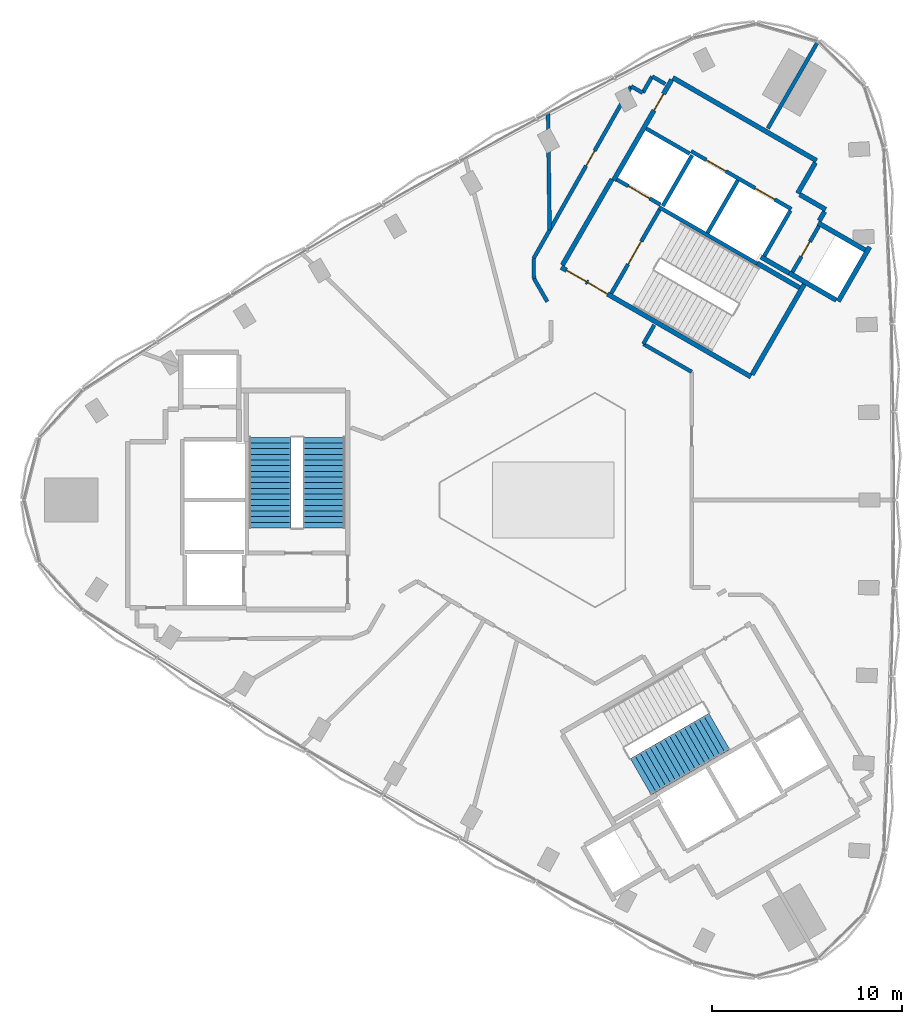
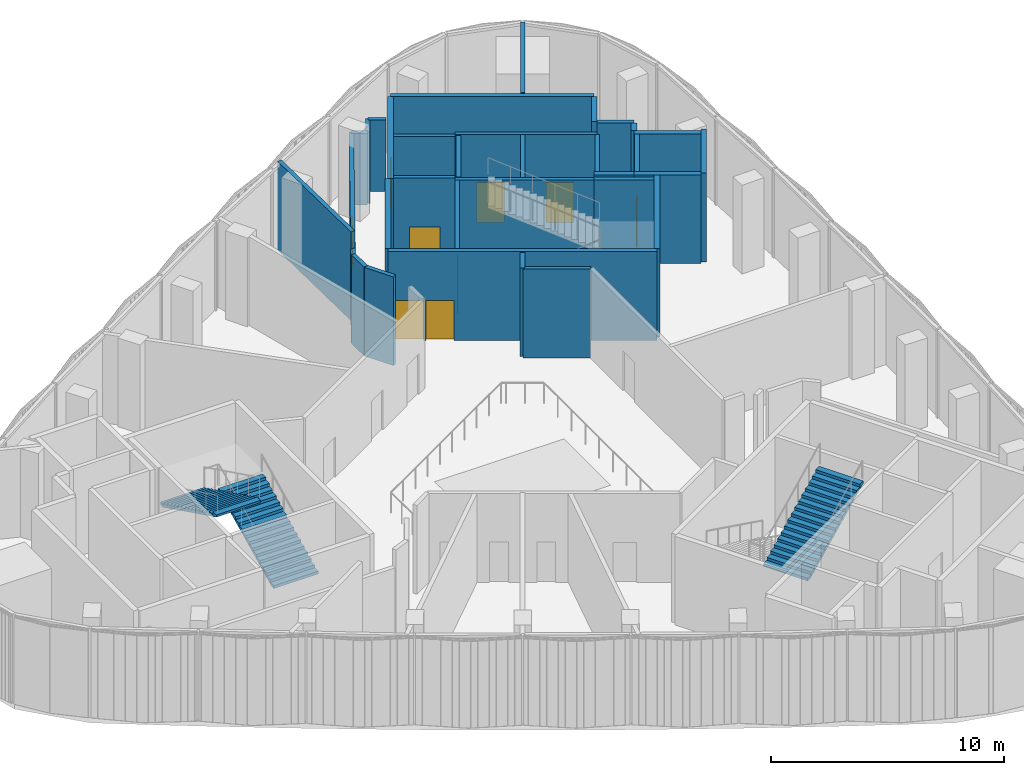
# One storey, part 9 of 15: 32 walls, 9 doors, 3 stair flights, 9 openings, 2 elements without a shape of their own.
"""IFC4 building model written with IfcOpenShell, lengths in metres."""

from ifc_helpers import new_model, si_unit, direction, frame, frame_2d, origin, place, context, subcontext, project, spatial, polyline, rectangle, outline, extrude, material, layer, layer_set, type_object, element, fill, aggregate, save


model = new_model("IFC4")

# Units and contexts
model_context = context("Model", 3, precision=1e-05, world=origin(), true_north=direction((0.0, 1.0)))
body_context = subcontext(model_context, "Body", "Model", "MODEL_VIEW")
ifc_project = project(units=[si_unit("LENGTHUNIT", "METRE"), si_unit("AREAUNIT", "SQUARE_METRE"), si_unit("VOLUMEUNIT", "CUBIC_METRE"), si_unit("PLANEANGLEUNIT", "RADIAN"), si_unit("MASSUNIT", "GRAM", prefix="KILO")], contexts=[model_context])

# Site, building, storey
site_placement = place(None, origin())
site = spatial("IfcSite", under=ifc_project, at=site_placement, CompositionType="ELEMENT")
building_placement = place(site_placement, origin())
building = spatial("IfcBuilding", under=site, at=building_placement, Name="Tamra Quay Hotel Tower", CompositionType="ELEMENT")
storey_placement = place(building_placement, frame((0.0, 0.0, 216.39990234375)))
storey = spatial("IfcBuildingStorey", under=building, at=storey_placement, Name="L54", CompositionType="ELEMENT", Elevation=216.39990234375)

# Wall, openings, doors
ifc_material_1 = material(Name="Concrete M70", Category="concrete")
ifc_layer_1 = layer(ifc_material_1, 0.199951171875)
ifc_layer_set_1 = layer_set([ifc_layer_1], Name="Concrete M70 core wall 200")
wall_type_1 = type_object("IfcWallType", Name="Concrete M70 core wall 200", PredefinedType="SHEAR", material=ifc_layer_set_1)
wall_1_placement = place(storey_placement, frame((12.552490234375, 15.341552734375, 0.0), z_axis=(0.0, 0.0, 1.0), x_axis=(-0.866030299012, 0.499991521122, 0.0)))
wall_1 = element("IfcWall", 1, at=wall_1_placement, inside=storey, type_object=wall_type_1, Name="CW2", PredefinedType="SHEAR", context=body_context, shape_type="SweptSolid", body=[
    extrude(rectangle(XDim=6.10009765625, YDim=0.199951171875, at=frame_2d((3.050048828125, 0.0))), origin(), (0.0, 0.0, 1.0), 4.650146484375),
])
opening_1_placement = place(wall_1_placement, frame((1.0, 0.0, 0.0)))
opening_1 = element("IfcOpeningElement", 2, at=opening_1_placement, cuts=wall_1, Name="Opening LD", PredefinedType="OPENING", context=body_context, shape_type="SweptSolid", body=[
    extrude(rectangle(XDim=1.199951171875, YDim=2.10009765625, at=frame_2d((0.60009765625, 1.050048828125))), frame((0.0, 0.10986328125, 0.0), z_axis=(0.0, -1.0, 0.0), x_axis=(1.0, 0.0, 0.0)), (0.0, 0.0, 1.0), 0.219970703125),
])
opening_2_placement = place(wall_1_placement, frame((3.982177734375, 0.0, 0.0)))
opening_2 = element("IfcOpeningElement", 3, at=opening_2_placement, cuts=wall_1, Name="Opening LD", PredefinedType="OPENING", context=body_context, shape_type="SweptSolid", body=[
    extrude(rectangle(XDim=1.199951171875, YDim=2.10009765625, at=frame_2d((0.60009765625, 1.050048828125))), frame((0.0, 0.10986328125, 0.0), z_axis=(0.0, -1.0, 0.0), x_axis=(1.0, 0.0, 0.0)), (0.0, 0.0, 1.0), 0.219970703125),
])
ifc_material_2 = material(Name="Landing door LD 1200 double door sliding")
door_type_1 = type_object("IfcDoorType", Name="Landing door LD 1200 double door sliding", OperationType="DOUBLE_DOOR_SLIDING", PredefinedType="DOOR", material=ifc_material_2)
door_1_placement = place(opening_1_placement, origin())
door_1 = element("IfcDoor", 4, at=door_1_placement, inside=storey, type_object=door_type_1, Name="LD", OperationType="DOUBLE_DOOR_SLIDING", OverallHeight=2.10009765625, OverallWidth=1.199951171875, PredefinedType="DOOR", context=body_context, shape_type="SweptSolid", body=[
    extrude(rectangle(XDim=1.199951171875, YDim=2.10009765625, at=frame_2d((0.60009765625, 1.050048828125))), frame((0.0, 0.02490234375, 0.0), z_axis=(0.0, -1.0, 0.0), x_axis=(1.0, 0.0, 0.0)), (0.0, 0.0, 1.0), 0.050048828125),
])
fill(opening_1, door_1)
door_2_placement = place(opening_2_placement, origin())
door_2 = element("IfcDoor", 5, at=door_2_placement, inside=storey, type_object=door_type_1, Name="LD", OperationType="DOUBLE_DOOR_SLIDING", OverallHeight=2.10009765625, OverallWidth=1.199951171875, PredefinedType="DOOR", context=body_context, shape_type="SweptSolid", body=[
    extrude(rectangle(XDim=1.199951171875, YDim=2.10009765625, at=frame_2d((0.60009765625, 1.050048828125))), frame((0.0, 0.02490234375, 0.0), z_axis=(0.0, -1.0, 0.0), x_axis=(1.0, 0.0, 0.0)), (0.0, 0.0, 1.0), 0.050048828125),
])
fill(opening_2, door_2)

# Wall
wall_2_placement = place(storey_placement, frame((10.7431640625, 12.4599609375, 0.0), z_axis=(0.0, 0.0, 1.0), x_axis=(-0.866018848283, 0.500011354289, 0.0)))
element("IfcWall", 6, at=wall_2_placement, inside=storey, type_object=wall_type_1, Name="CW2", PredefinedType="SHEAR", context=body_context, shape_type="SweptSolid", body=[
    extrude(rectangle(XDim=5.973876953125, YDim=0.199951171875, at=frame_2d((2.98681640625, 0.0))), origin(), (0.0, 0.0, 1.0), 4.650146484375),
])

# Wall, opening, door
wall_3_placement = place(storey_placement, frame((3.056640625, 10.89453125, 0.0), z_axis=(0.0, 0.0, 1.0), x_axis=(0.500027839223, 0.866009330205, 0.0)))
wall_3 = element("IfcWall", 7, at=wall_3_placement, inside=storey, type_object=wall_type_1, Name="CW2", PredefinedType="SHEAR", context=body_context, shape_type="SweptSolid", body=[
    extrude(rectangle(XDim=5.097900390625, YDim=0.199951171875, at=frame_2d((2.548828125, 0.0))), origin(), (0.0, 0.0, 1.0), 4.650146484375),
])
opening_3_placement = place(wall_3_placement, frame((1.77392578125, 0.0, 0.0)))
opening_3 = element("IfcOpeningElement", 8, at=opening_3_placement, cuts=wall_3, Name="Opening FD2", PredefinedType="OPENING", context=body_context, shape_type="SweptSolid", body=[
    extrude(rectangle(XDim=1.39990234375, YDim=2.10009765625, at=frame_2d((0.699951171875, 1.050048828125))), frame((0.0, 0.10986328125, 0.0), z_axis=(0.0, -1.0, 0.0), x_axis=(1.0, 0.0, 0.0)), (0.0, 0.0, 1.0), 0.219970703125),
])
ifc_material_3 = material(Name="Core door FD2 1400x2100 RH")
door_type_2 = type_object("IfcDoorType", Name="Core door FD2 1400x2100 RH", OperationType="NOTDEFINED", PredefinedType="DOOR", material=ifc_material_3)
door_3_placement = place(opening_3_placement, origin())
door_3 = element("IfcDoor", 9, at=door_3_placement, inside=storey, type_object=door_type_2, Name="FD2", OperationType="SINGLE_SWING_RIGHT", OverallHeight=2.10009765625, OverallWidth=1.39990234375, PredefinedType="DOOR", context=body_context, shape_type="SweptSolid", body=[
    extrude(rectangle(XDim=1.39990234375, YDim=2.10009765625, at=frame_2d((0.699951171875, 1.050048828125))), frame((0.0, 0.02490234375, 0.0), z_axis=(0.0, -1.0, 0.0), x_axis=(1.0, 0.0, 0.0)), (0.0, 0.0, 1.0), 0.050048828125),
])
fill(opening_3, door_3)

# Wall
wall_4_placement = place(storey_placement, frame((8.131591796875, 14.08447265625, 0.0), z_axis=(0.0, 0.0, 1.0), x_axis=(0.500030834389, 0.86600760081, 0.0)))
element("IfcWall", 10, at=wall_4_placement, inside=storey, type_object=wall_type_1, Name="CW2", PredefinedType="SHEAR", context=body_context, shape_type="SweptSolid", body=[
    extrude(rectangle(XDim=3.197998046875, YDim=0.199951171875, at=frame_2d((1.59912109375, 0.0))), origin(), (0.0, 0.0, 1.0), 4.650146484375),
])

# Wall, opening, door
wall_5_placement = place(storey_placement, frame((14.0078125, 14.442138671875, 0.0), z_axis=(0.0, 0.0, 1.0), x_axis=(-0.499986818241, -0.866033014143, 0.0)))
wall_5 = element("IfcWall", 11, at=wall_5_placement, inside=storey, type_object=wall_type_1, Name="CW2", PredefinedType="SHEAR", context=body_context, shape_type="SweptSolid", body=[
    extrude(rectangle(XDim=2.7978515625, YDim=0.199951171875, at=frame_2d((1.39892578125, 0.0))), origin(), (0.0, 0.0, 1.0), 4.650146484375),
])
opening_4_placement = place(wall_5_placement, frame((0.948974609375, 0.0, 0.0)))
opening_4 = element("IfcOpeningElement", 12, at=opening_4_placement, cuts=wall_5, Name="Opening D1", PredefinedType="OPENING", context=body_context, shape_type="SweptSolid", body=[
    extrude(rectangle(XDim=0.89990234375, YDim=2.10009765625, at=frame_2d((0.449951171875, 1.050048828125))), frame((0.0, 0.10986328125, 0.0), z_axis=(0.0, -1.0, 0.0), x_axis=(1.0, 0.0, 0.0)), (0.0, 0.0, 1.0), 0.219970703125),
])
ifc_material_4 = material(Name="Core door D1 900x2100 LH")
door_type_3 = type_object("IfcDoorType", Name="Core door D1 900x2100 LH", OperationType="NOTDEFINED", PredefinedType="DOOR", material=ifc_material_4)
door_4_placement = place(opening_4_placement, origin())
door_4 = element("IfcDoor", 13, at=door_4_placement, inside=storey, type_object=door_type_3, Name="D1", OperationType="SINGLE_SWING_LEFT", OverallHeight=2.10009765625, OverallWidth=0.89990234375, PredefinedType="DOOR", context=body_context, shape_type="SweptSolid", body=[
    extrude(rectangle(XDim=0.89990234375, YDim=2.10009765625, at=frame_2d((0.449951171875, 1.050048828125))), frame((0.0, 0.02490234375, 0.0), z_axis=(0.0, -1.0, 0.0), x_axis=(1.0, 0.0, 0.0)), (0.0, 0.0, 1.0), 0.050048828125),
])
fill(opening_4, door_4)

# Walls
wall_6_placement = place(storey_placement, frame((12.50244140625, 15.2548828125, 0.0), z_axis=(0.0, 0.0, 1.0), x_axis=(-0.499965018551, -0.866045599391, 0.0)))
element("IfcWall", 14, at=wall_6_placement, inside=storey, type_object=wall_type_1, Name="CW2", PredefinedType="SHEAR", context=body_context, shape_type="SweptSolid", body=[
    extrude(rectangle(XDim=2.759033203125, YDim=0.199951171875, at=frame_2d((1.37939453125, 0.0))), origin(), (0.0, 0.0, 1.0), 4.650146484375),
])
wall_7_placement = place(storey_placement, frame((7.324462890625, 18.1865234375, 0.0), z_axis=(0.0, 0.0, 1.0), x_axis=(-0.499967891604, -0.866043940782, 0.0)))
element("IfcWall", 15, at=wall_7_placement, inside=storey, type_object=wall_type_1, Name="CW2", PredefinedType="SHEAR", context=body_context, shape_type="SweptSolid", body=[
    extrude(rectangle(XDim=3.099853515625, YDim=0.199951171875, at=frame_2d((1.5498046875, 0.0))), origin(), (0.0, 0.0, 1.0), 4.650146484375),
])

# Wall, opening, door
wall_8_placement = place(storey_placement, frame((5.646240234375, 15.575927734375, 0.0), z_axis=(0.0, 0.0, 1.0), x_axis=(-0.866018407898, 0.500012117035, 0.0)))
wall_8 = element("IfcWall", 16, at=wall_8_placement, inside=storey, type_object=wall_type_1, Name="CW2", PredefinedType="SHEAR", context=body_context, shape_type="SweptSolid", body=[
    extrude(rectangle(XDim=2.65087890625, YDim=0.199951171875, at=frame_2d((1.325439453125, 0.0))), origin(), (0.0, 0.0, 1.0), 4.650146484375),
])
opening_5_placement = place(wall_8_placement, frame((0.65185546875, 0.0, 0.0)))
opening_5 = element("IfcOpeningElement", 17, at=opening_5_placement, cuts=wall_8, Name="Opening LD", PredefinedType="OPENING", context=body_context, shape_type="SweptSolid", body=[
    extrude(rectangle(XDim=1.300048828125, YDim=2.10009765625, at=frame_2d((0.64990234375, 1.050048828125))), frame((0.0, 0.10986328125, 0.0), z_axis=(0.0, -1.0, 0.0), x_axis=(1.0, 0.0, 0.0)), (0.0, 0.0, 1.0), 0.219970703125),
])
ifc_material_5 = material(Name="Landing door LD 1300 sliding to right")
door_type_4 = type_object("IfcDoorType", Name="Landing door LD 1300 sliding to right", OperationType="NOTDEFINED", PredefinedType="DOOR", material=ifc_material_5)
door_5_placement = place(opening_5_placement, origin())
door_5 = element("IfcDoor", 18, at=door_5_placement, inside=storey, type_object=door_type_4, Name="LD", OperationType="SLIDING_TO_RIGHT", OverallHeight=2.10009765625, OverallWidth=1.300048828125, PredefinedType="DOOR", context=body_context, shape_type="SweptSolid", body=[
    extrude(rectangle(XDim=1.300048828125, YDim=2.10009765625, at=frame_2d((0.64990234375, 1.050048828125))), frame((0.0, 0.02490234375, 0.0), z_axis=(0.0, -1.0, 0.0), x_axis=(1.0, 0.0, 0.0)), (0.0, 0.0, 1.0), 0.050048828125),
])
fill(opening_5, door_5)

# Wall
wall_9_placement = place(storey_placement, frame((7.1962890625, 18.260498046875, 0.0), z_axis=(0.0, 0.0, 1.0), x_axis=(-0.866018407898, 0.500012117035, 0.0)))
element("IfcWall", 19, at=wall_9_placement, inside=storey, type_object=wall_type_1, Name="CW2", PredefinedType="SHEAR", context=body_context, shape_type="SweptSolid", body=[
    extrude(rectangle(XDim=2.65087890625, YDim=0.199951171875, at=frame_2d((1.325439453125, 0.0))), origin(), (0.0, 0.0, 1.0), 4.650146484375),
])

# Wall, openings, doors
ifc_layer_2 = layer(ifc_material_1, 0.25)
ifc_layer_set_2 = layer_set([ifc_layer_2], Name="Concrete M70 core wall 250")
wall_type_2 = type_object("IfcWallType", Name="Concrete M70 core wall 250", PredefinedType="SHEAR", material=ifc_layer_set_2)
wall_10_placement = place(storey_placement, frame((10.419921875, 6.497802734375, 0.0), z_axis=(0.0, 0.0, 1.0), x_axis=(-0.866021906294, 0.500006057782, 0.0)))
wall_10 = element("IfcWall", 20, at=wall_10_placement, inside=storey, type_object=wall_type_2, Name="CW1", PredefinedType="SHEAR", context=body_context, shape_type="SweptSolid", body=[
    extrude(rectangle(XDim=11.550048828125, YDim=0.25, at=frame_2d((5.77490234375, 0.0))), origin(), (0.0, 0.0, 1.0), 4.650146484375),
])
opening_6_placement = place(wall_10_placement, frame((10.02490234375, 0.0, 0.0)))
opening_6 = element("IfcOpeningElement", 21, at=opening_6_placement, cuts=wall_10, Name="Opening FD1", PredefinedType="OPENING", context=body_context, shape_type="SweptSolid", body=[
    extrude(rectangle(XDim=1.199951171875, YDim=2.10009765625, at=frame_2d((0.60009765625, 1.050048828125))), frame((0.0, 0.135009765625, 0.0), z_axis=(0.0, -1.0, 0.0), x_axis=(1.0, 0.0, 0.0)), (0.0, 0.0, 1.0), 0.27001953125),
])
opening_7_placement = place(wall_10_placement, frame((8.724853515625, 0.0, 0.0)))
opening_7 = element("IfcOpeningElement", 22, at=opening_7_placement, cuts=wall_10, Name="Opening FD1", PredefinedType="OPENING", context=body_context, shape_type="SweptSolid", body=[
    extrude(rectangle(XDim=1.199951171875, YDim=2.10009765625, at=frame_2d((0.60009765625, 1.050048828125))), frame((0.0, 0.135009765625, 0.0), z_axis=(0.0, -1.0, 0.0), x_axis=(1.0, 0.0, 0.0)), (0.0, 0.0, 1.0), 0.27001953125),
])
ifc_material_6 = material(Name="Core door FD1 1200x2100 LH")
door_type_5 = type_object("IfcDoorType", Name="Core door FD1 1200x2100 LH", OperationType="NOTDEFINED", PredefinedType="DOOR", material=ifc_material_6)
door_6_placement = place(opening_6_placement, origin())
door_6 = element("IfcDoor", 23, at=door_6_placement, inside=storey, type_object=door_type_5, Name="FD1", OperationType="SINGLE_SWING_LEFT", OverallHeight=2.10009765625, OverallWidth=1.199951171875, PredefinedType="DOOR", context=body_context, shape_type="SweptSolid", body=[
    extrude(rectangle(XDim=1.199951171875, YDim=2.10009765625, at=frame_2d((0.60009765625, 1.050048828125))), frame((0.0, 0.02490234375, 0.0), z_axis=(0.0, -1.0, 0.0), x_axis=(1.0, 0.0, 0.0)), (0.0, 0.0, 1.0), 0.050048828125),
])
fill(opening_6, door_6)
ifc_material_7 = material(Name="Core door FD1 1200x2100 RH")
door_type_6 = type_object("IfcDoorType", Name="Core door FD1 1200x2100 RH", OperationType="NOTDEFINED", PredefinedType="DOOR", material=ifc_material_7)
door_7_placement = place(opening_7_placement, origin())
door_7 = element("IfcDoor", 24, at=door_7_placement, inside=storey, type_object=door_type_6, Name="FD1", OperationType="SINGLE_SWING_RIGHT", OverallHeight=2.10009765625, OverallWidth=1.199951171875, PredefinedType="DOOR", context=body_context, shape_type="SweptSolid", body=[
    extrude(rectangle(XDim=1.199951171875, YDim=2.10009765625, at=frame_2d((0.60009765625, 1.050048828125))), frame((0.0, 0.02490234375, 0.0), z_axis=(0.0, -1.0, 0.0), x_axis=(1.0, 0.0, 0.0)), (0.0, 0.0, 1.0), 0.050048828125),
])
fill(opening_7, door_7)

# Wall
wall_11_placement = place(storey_placement, frame((6.303955078125, 22.268798828125, 0.0), z_axis=(0.0, 0.0, 1.0), x_axis=(0.866022959057, -0.500004234368, 0.0)))
element("IfcWall", 25, at=wall_11_placement, inside=storey, type_object=wall_type_2, Name="CW1", PredefinedType="SHEAR", context=body_context, shape_type="SweptSolid", body=[
    extrude(rectangle(XDim=8.75, YDim=0.25, at=frame_2d((4.375, 0.0))), origin(), (0.0, 0.0, 1.0), 4.650146484375),
])

# Wall, opening, door
wall_12_placement = place(storey_placement, frame((3.178955078125, 16.856201171875, 0.0), z_axis=(0.0, 0.0, 1.0), x_axis=(0.500001955336, 0.866024274868, 0.0)))
wall_12 = element("IfcWall", 26, at=wall_12_placement, inside=storey, type_object=wall_type_2, Name="CW1", PredefinedType="SHEAR", context=body_context, shape_type="SweptSolid", body=[
    extrude(rectangle(XDim=6.12451171875, YDim=0.25, at=frame_2d((3.062255859375, 0.0))), origin(), (0.0, 0.0, 1.0), 4.650146484375),
])
opening_8_placement = place(wall_12_placement, frame((4.2626953125, 0.0, 0.0)))
opening_8 = element("IfcOpeningElement", 27, at=opening_8_placement, cuts=wall_12, Name="Opening FD3", PredefinedType="OPENING", context=body_context, shape_type="SweptSolid", body=[
    extrude(rectangle(XDim=1.0, YDim=2.10009765625, at=frame_2d((0.5, 1.050048828125))), frame((0.0, 0.135009765625, 0.0), z_axis=(0.0, -1.0, 0.0), x_axis=(1.0, 0.0, 0.0)), (0.0, 0.0, 1.0), 0.27001953125),
])
ifc_material_8 = material(Name="Core door FD3 1000x2100 LH")
door_type_7 = type_object("IfcDoorType", Name="Core door FD3 1000x2100 LH", OperationType="NOTDEFINED", PredefinedType="DOOR", material=ifc_material_8)
door_8_placement = place(opening_8_placement, origin())
door_8 = element("IfcDoor", 28, at=door_8_placement, inside=storey, type_object=door_type_7, Name="FD3", OperationType="SINGLE_SWING_LEFT", OverallHeight=2.10009765625, OverallWidth=1.0, PredefinedType="DOOR", context=body_context, shape_type="SweptSolid", body=[
    extrude(rectangle(XDim=1.0, YDim=2.10009765625, at=frame_2d((0.5, 1.050048828125))), frame((0.0, 0.02490234375, 0.0), z_axis=(0.0, -1.0, 0.0), x_axis=(1.0, 0.0, 0.0)), (0.0, 0.0, 1.0), 0.050048828125),
])
fill(opening_8, door_8)

# Walls
wall_13_placement = place(storey_placement, frame((0.47998046875, 12.38134765625, 0.0), z_axis=(0.0, 0.0, 1.0), x_axis=(0.49999885962, 0.866026062182, 0.0)))
element("IfcWall", 29, at=wall_13_placement, inside=storey, type_object=wall_type_2, Name="CW1", PredefinedType="SHEAR", context=body_context, shape_type="SweptSolid", body=[
    extrude(rectangle(XDim=5.224609375, YDim=0.25, at=frame_2d((2.6123046875, 0.0))), origin(), (0.0, 0.0, 1.0), 4.650146484375),
])
wall_14_placement = place(storey_placement, frame((13.237548828125, 11.3779296875, 0.0), z_axis=(0.0, 0.0, 1.0), x_axis=(-0.500008851346, -0.866020293397, 0.0)))
element("IfcWall", 30, at=wall_14_placement, inside=storey, type_object=wall_type_2, Name="CW1", PredefinedType="SHEAR", context=body_context, shape_type="SweptSolid", body=[
    extrude(rectangle(XDim=5.509765625, YDim=0.25, at=frame_2d((2.7548828125, 0.0))), origin(), (0.0, 0.0, 1.0), 4.650146484375),
])
wall_15_placement = place(storey_placement, frame((16.68359375, 13.3466796875, 0.0), z_axis=(0.0, 0.0, 1.0), x_axis=(-0.499998874531, -0.866026053573, 0.0)))
element("IfcWall", 31, at=wall_15_placement, inside=storey, type_object=wall_type_2, Name="CW1", PredefinedType="SHEAR", context=body_context, shape_type="SweptSolid", body=[
    extrude(rectangle(XDim=3.31298828125, YDim=0.25, at=frame_2d((1.656494140625, 0.0))), origin(), (0.0, 0.0, 1.0), 4.650146484375),
])
wall_16_placement = place(storey_placement, frame((14.91845703125, 10.540283203125, 0.0), z_axis=(0.0, 0.0, 1.0), x_axis=(-0.866063538972, 0.499933942099, 0.0)))
element("IfcWall", 32, at=wall_16_placement, inside=storey, type_object=wall_type_2, Name="CW1", PredefinedType="SHEAR", context=body_context, shape_type="SweptSolid", body=[
    extrude(rectangle(XDim=2.86474609375, YDim=0.25, at=frame_2d((1.432373046875, 0.0))), origin(), (0.0, 0.0, 1.0), 4.650146484375),
])
wall_17_placement = place(storey_placement, frame((13.962646484375, 14.61376953125, 0.0), z_axis=(0.0, 0.0, 1.0), x_axis=(0.866042235819, -0.499970844928, 0.0)))
element("IfcWall", 33, at=wall_17_placement, inside=storey, type_object=wall_type_2, Name="CW1", PredefinedType="SHEAR", context=body_context, shape_type="SweptSolid", body=[
    extrude(rectangle(XDim=2.864501953125, YDim=0.25, at=frame_2d((1.43212890625, 0.0))), origin(), (0.0, 0.0, 1.0), 4.650146484375),
])
wall_18_placement = place(storey_placement, frame((10.756591796875, 12.481201171875, 0.0), z_axis=(0.0, 0.0, 1.0), x_axis=(0.866022940537, -0.500004266446, 0.0)))
element("IfcWall", 34, at=wall_18_placement, inside=storey, type_object=wall_type_2, Name="CW1", PredefinedType="SHEAR", context=body_context, shape_type="SweptSolid", body=[
    extrude(rectangle(XDim=2.57470703125, YDim=0.25, at=frame_2d((1.287353515625, 0.0))), origin(), (0.0, 0.0, 1.0), 4.650146484375),
])
wall_19_placement = place(storey_placement, frame((13.819091796875, 17.78515625, 0.0), z_axis=(0.0, 0.0, 1.0), x_axis=(-0.500039802285, -0.866002422705, 0.0)))
element("IfcWall", 35, at=wall_19_placement, inside=storey, type_object=wall_type_2, Name="CW1", PredefinedType="SHEAR", context=body_context, shape_type="SweptSolid", body=[
    extrude(rectangle(XDim=1.864501953125, YDim=0.25, at=frame_2d((0.93212890625, 0.0))), origin(), (0.0, 0.0, 1.0), 4.650146484375),
])
wall_20_placement = place(storey_placement, frame((12.4326171875, 11.9638671875, 0.0), z_axis=(0.0, 0.0, 1.0), x_axis=(-0.866038183914, 0.499977863513, 0.0)))
element("IfcWall", 36, at=wall_20_placement, inside=storey, type_object=wall_type_2, Name="CW1", PredefinedType="SHEAR", context=body_context, shape_type="SweptSolid", body=[
    extrude(rectangle(XDim=1.7099609375, YDim=0.25, at=frame_2d((0.85498046875, 0.0))), origin(), (0.0, 0.0, 1.0), 4.650146484375),
])
wall_21_placement = place(storey_placement, frame((12.995361328125, 16.107666015625, 0.0), z_axis=(0.0, 0.0, 1.0), x_axis=(0.866044474677, -0.49996696679, 0.0)))
element("IfcWall", 37, at=wall_21_placement, inside=storey, type_object=wall_type_2, Name="CW1", PredefinedType="SHEAR", context=body_context, shape_type="SweptSolid", body=[
    extrude(rectangle(XDim=1.58447265625, YDim=0.25, at=frame_2d((0.792236328125, 0.0))), origin(), (0.0, 0.0, 1.0), 4.650146484375),
])
wall_22_placement = place(storey_placement, frame((14.304931640625, 15.206787109375, 0.0), z_axis=(0.0, 0.0, 1.0), x_axis=(-0.499848422343, -0.866112899501, 0.0)))
element("IfcWall", 38, at=wall_22_placement, inside=storey, type_object=wall_type_2, Name="CW1", PredefinedType="SHEAR", context=body_context, shape_type="SweptSolid", body=[
    extrude(rectangle(XDim=0.559326171875, YDim=0.25, at=frame_2d((0.27978515625, 0.0))), origin(), (0.0, 0.0, 1.0), 4.650146484375),
])
ifc_material_9 = material(Name="Partition corridor wall")
ifc_layer_3 = layer(ifc_material_9, 0.199951171875)
ifc_layer_set_3 = layer_set([ifc_layer_3], Name="Partition corridor wall")
wall_type_3 = type_object("IfcWallType", Name="Partition corridor wall", PredefinedType="PARTITIONING", material=ifc_layer_set_3)
wall_23_placement = place(storey_placement, frame((-1.035888671875, 12.742919921875, 0.0), z_axis=(0.0, 0.0, 1.0), x_axis=(0.012253415255, -0.999924924089, 0.0)))
element("IfcWall", 39, at=wall_23_placement, inside=storey, type_object=wall_type_3, Name="W-C", PredefinedType="PARTITIONING", context=body_context, shape_type="SweptSolid", body=[
    extrude(rectangle(XDim=1.055908203125, YDim=0.199951171875, at=frame_2d((0.52783203125, 0.0))), origin(), (0.0, 0.0, 1.0), 4.650146484375),
])

# Wall, opening, door
wall_24_placement = place(storey_placement, frame((-1.035888671875, 12.742919921875, 0.0), z_axis=(0.0, 0.0, 1.0), x_axis=(0.49314672747, 0.869946150739, 0.0)))
wall_24 = element("IfcWall", 40, at=wall_24_placement, inside=storey, type_object=wall_type_3, Name="W-C", PredefinedType="PARTITIONING", context=body_context, shape_type="SweptSolid", body=[
    extrude(rectangle(XDim=10.422607421875, YDim=0.199951171875, at=frame_2d((5.21142578125, 0.0))), origin(), (0.0, 0.0, 1.0), 3.75),
])
opening_9_placement = place(wall_24_placement, frame((5.61181640625, 0.0, 0.0)))
opening_9 = element("IfcOpeningElement", 41, at=opening_9_placement, cuts=wall_24, Name="Opening L54-D002", PredefinedType="OPENING", context=body_context, shape_type="SweptSolid", body=[
    extrude(rectangle(XDim=0.89990234375, YDim=2.10009765625, at=frame_2d((0.449951171875, 1.050048828125))), frame((0.0, 0.10986328125, 0.0), z_axis=(0.0, -1.0, 0.0), x_axis=(1.0, 0.0, 0.0)), (0.0, 0.0, 1.0), 0.219970703125),
])
ifc_material_10 = material(Name="Door service room 900x2100")
door_type_8 = type_object("IfcDoorType", Name="Door service room 900x2100", OperationType="NOTDEFINED", PredefinedType="DOOR", material=ifc_material_10)
door_9_placement = place(opening_9_placement, origin())
door_9 = element("IfcDoor", 42, at=door_9_placement, inside=storey, type_object=door_type_8, Name="L54-D002", OperationType="SINGLE_SWING_LEFT", OverallHeight=2.10009765625, OverallWidth=0.89990234375, PredefinedType="DOOR", context=body_context, shape_type="SweptSolid", body=[
    extrude(rectangle(XDim=0.89990234375, YDim=2.10009765625, at=frame_2d((0.449951171875, 1.050048828125))), frame((0.0, 0.02490234375, 0.0), z_axis=(0.0, -1.0, 0.0), x_axis=(1.0, 0.0, 0.0)), (0.0, 0.0, 1.0), 0.050048828125),
])
fill(opening_9, door_9)

# Walls
wall_25_placement = place(storey_placement, frame((-1.02294921875, 11.68701171875, 0.0), z_axis=(0.0, 0.0, 1.0), x_axis=(0.499692660748, -0.866202773486, 0.0)))
element("IfcWall", 43, at=wall_25_placement, inside=storey, type_object=wall_type_3, Name="W-C", PredefinedType="PARTITIONING", context=body_context, shape_type="SweptSolid", body=[
    extrude(rectangle(XDim=1.4189453125, YDim=0.199951171875, at=frame_2d((0.70947265625, 0.0))), origin(), (0.0, 0.0, 1.0), 4.650146484375),
])
wall_26_placement = place(storey_placement, frame((4.10791015625, 21.81298828125, 0.0), z_axis=(0.0, 0.0, 1.0), x_axis=(0.869298985779, -0.494286630735, 0.0)))
element("IfcWall", 44, at=wall_26_placement, inside=storey, type_object=wall_type_3, Name="W-C", PredefinedType="PARTITIONING", context=body_context, shape_type="SweptSolid", body=[
    extrude(rectangle(XDim=0.696044921875, YDim=0.199951171875, at=frame_2d((0.34814453125, 0.0))), origin(), (0.0, 0.0, 1.0), 3.75),
])
wall_27_placement = place(storey_placement, frame((4.722900390625, 21.47607421875, 0.0), z_axis=(0.0, 0.0, 1.0), x_axis=(0.497232452162, 0.867617362964, 0.0)))
element("IfcWall", 45, at=wall_27_placement, inside=storey, type_object=wall_type_3, Name="W-C", PredefinedType="PARTITIONING", context=body_context, shape_type="SweptSolid", body=[
    extrude(rectangle(XDim=0.9853515625, YDim=0.199951171875, at=frame_2d((0.49267578125, 0.0))), origin(), (0.0, 0.0, 1.0), 3.75),
])
wall_28_placement = place(storey_placement, frame((4.7490234375, 8.23095703125, 0.0), z_axis=(0.0, 0.0, 1.0), x_axis=(0.500592486553, 0.865683061176, 0.0)))
element("IfcWall", 46, at=wall_28_placement, inside=storey, type_object=wall_type_3, Name="W-C", PredefinedType="PARTITIONING", context=body_context, shape_type="SweptSolid", body=[
    extrude(rectangle(XDim=1.1494140625, YDim=0.199951171875, at=frame_2d((0.57470703125, 0.0))), origin(), (0.0, 0.0, 1.0), 4.650146484375),
])
wall_29_placement = place(storey_placement, frame((4.756103515625, 8.220947265625, 0.0), z_axis=(0.0, 0.0, 1.0), x_axis=(0.86663991364, -0.498934123994, 0.0)))
element("IfcWall", 47, at=wall_29_placement, inside=storey, type_object=wall_type_3, Name="W-C", PredefinedType="PARTITIONING", context=body_context, shape_type="SweptSolid", body=[
    extrude(rectangle(XDim=2.93212890625, YDim=0.199951171875, at=frame_2d((1.466064453125, 0.0))), origin(), (0.0, 0.0, 1.0), 4.650146484375),
])
wall_30_placement = place(storey_placement, frame((5.217041015625, 22.333984375, 0.0), z_axis=(0.0, 0.0, 1.0), x_axis=(0.866293770924, -0.499534886128, 0.0)))
element("IfcWall", 48, at=wall_30_placement, inside=storey, type_object=wall_type_3, Name="W-C", PredefinedType="PARTITIONING", context=body_context, shape_type="SweptSolid", body=[
    extrude(rectangle(XDim=0.788818359375, YDim=0.199951171875, at=frame_2d((0.39453125, 0.0))), origin(), (0.0, 0.0, 1.0), 3.75),
])
ifc_material_11 = material(Name="Partition party wall")
ifc_layer_4 = layer(ifc_material_11, 0.199951171875)
ifc_layer_set_4 = layer_set([ifc_layer_4], Name="Partition party wall")
wall_type_4 = type_object("IfcWallType", Name="Partition party wall", PredefinedType="PARTITIONING", material=ifc_layer_set_4)
wall_31_placement = place(storey_placement, frame((-0.2763671875, 20.398193359375, 0.0), z_axis=(0.0, 0.0, 1.0), x_axis=(0.013504253847, -0.999908813407, 0.0)))
element("IfcWall", 49, at=wall_31_placement, inside=storey, type_object=wall_type_4, Name="W-P", PredefinedType="PARTITIONING", context=body_context, shape_type="SweptSolid", body=[
    extrude(rectangle(XDim=6.164794921875, YDim=0.199951171875, at=frame_2d((3.08251953125, 0.0))), origin(), (0.0, 0.0, 1.0), 4.650146484375),
])
wall_32_placement = place(storey_placement, frame((11.310791015625, 19.591552734375, 0.0), z_axis=(0.0, 0.0, 1.0), x_axis=(0.500132351176, 0.865948977311, 0.0)))
element("IfcWall", 50, at=wall_32_placement, inside=storey, type_object=wall_type_4, Name="W-P", PredefinedType="PARTITIONING", context=body_context, shape_type="SweptSolid", body=[
    extrude(rectangle(XDim=5.29296875, YDim=0.199951171875, at=frame_2d((2.646484375, 0.0))), origin(), (0.0, 0.0, 1.0), 4.650146484375),
])

# Stair, stair flights
ifc_material_12 = material(Name="Exit stair 2200 34 risers 147.1 going 299")
stair_type = type_object("IfcStairType", Name="Exit stair 2200 34 risers 147.1 going 299", PredefinedType="HALF_TURN_STAIR", material=ifc_material_12)
stair_1_placement = place(storey_placement, origin())
stair_1 = element("IfcStair", 51, at=stair_1_placement, inside=storey, type_object=stair_type, Name="L54 Exit stair ST3", PredefinedType="HALF_TURN_STAIR")
ifc_material_13 = material(Name="Exit stair flight 2200 17 risers 147.1")
stair_flight_type = type_object("IfcStairFlightType", Name="Exit stair flight 2200 17 risers 147.1", PredefinedType="STRAIGHT", material=ifc_material_13)
stair_flight_1_placement = place(storey_placement, frame((-12.082275390625, -1.47998046875, 0.0), z_axis=(0.0, 0.0, 1.0), x_axis=(0.0, 1.0, 0.0)))
stair_flight_1 = element("IfcStairFlight", 52, at=stair_flight_1_placement, type_object=stair_flight_type, Name="ST3 flight 1", NumberOfRisers=17, NumberOfTreads=16, PredefinedType="STRAIGHT", RiserHeight=0.147058824, TreadLength=0.299, context=body_context, shape_type="SweptSolid", body=[
    extrude(outline(polyline([(0.0, 0.0), (0.0, 0.14697265625), (0.299072265625, 0.14697265625), (0.299072265625, 0.294189453125), (0.597900390625, 0.294189453125), (0.597900390625, 0.441162109375), (0.89697265625, 0.441162109375), (0.89697265625, 0.588134765625), (1.196044921875, 0.588134765625), (1.196044921875, 0.7353515625), (1.4951171875, 0.7353515625), (1.4951171875, 0.88232421875), (1.7939453125, 0.88232421875), (1.7939453125, 1.029296875), (2.093017578125, 1.029296875), (2.093017578125, 1.176513671875), (2.39208984375, 1.176513671875), (2.39208984375, 1.323486328125), (2.69091796875, 1.323486328125), (2.69091796875, 1.470703125), (2.989990234375, 1.470703125), (2.989990234375, 1.61767578125), (3.2890625, 1.61767578125), (3.2890625, 1.7646484375), (3.587890625, 1.7646484375), (3.587890625, 1.911865234375), (3.886962890625, 1.911865234375), (3.886962890625, 2.058837890625), (4.18603515625, 2.058837890625), (4.18603515625, 2.205810546875), (4.485107421875, 2.205810546875), (4.485107421875, 2.35302734375), (4.783935546875, 2.35302734375), (4.783935546875, 2.5), (4.783935546875, 2.241455078125), (0.226806640625, 0.0), (0.0, 0.0)])), frame((0.0, 1.10009765625, 0.0), z_axis=(0.0, -1.0, 0.0), x_axis=(1.0, 0.0, 0.0)), (0.0, 0.0, 1.0), 2.199951171875),
])
stair_flight_2_placement = place(storey_placement, frame((-14.94140625, 3.303955078125, 2.5), z_axis=(0.0, 0.0, 1.0), x_axis=(0.0, -1.0, 0.0)))
stair_flight_2 = element("IfcStairFlight", 53, at=stair_flight_2_placement, type_object=stair_flight_type, Name="ST3 flight 2", NumberOfRisers=17, NumberOfTreads=16, PredefinedType="STRAIGHT", RiserHeight=0.147058824, TreadLength=0.299, context=body_context, shape_type="SweptSolid", body=[
    extrude(outline(polyline([(0.0, 0.0), (0.0, 0.14697265625), (0.299072265625, 0.14697265625), (0.299072265625, 0.294189453125), (0.597900390625, 0.294189453125), (0.597900390625, 0.441162109375), (0.89697265625, 0.441162109375), (0.89697265625, 0.588134765625), (1.196044921875, 0.588134765625), (1.196044921875, 0.7353515625), (1.4951171875, 0.7353515625), (1.4951171875, 0.88232421875), (1.7939453125, 0.88232421875), (1.7939453125, 1.029296875), (2.093017578125, 1.029296875), (2.093017578125, 1.176513671875), (2.39208984375, 1.176513671875), (2.39208984375, 1.323486328125), (2.69091796875, 1.323486328125), (2.69091796875, 1.470703125), (2.989990234375, 1.470703125), (2.989990234375, 1.61767578125), (3.2890625, 1.61767578125), (3.2890625, 1.7646484375), (3.587890625, 1.7646484375), (3.587890625, 1.911865234375), (3.886962890625, 1.911865234375), (3.886962890625, 2.058837890625), (4.18603515625, 2.058837890625), (4.18603515625, 2.205810546875), (4.485107421875, 2.205810546875), (4.485107421875, 2.35302734375), (4.783935546875, 2.35302734375), (4.783935546875, 2.5), (4.783935546875, 2.241455078125), (0.226806640625, 0.0), (0.0, 0.0)])), frame((0.0, 1.10009765625, 0.0), z_axis=(0.0, -1.0, 0.0), x_axis=(1.0, 0.0, 0.0)), (0.0, 0.0, 1.0), 2.199951171875),
])
aggregate(stair_1, [stair_flight_1, stair_flight_2])

# Stair, stair flight
stair_2_placement = place(storey_placement, origin())
stair_2 = element("IfcStair", 54, at=stair_2_placement, inside=storey, type_object=stair_type, Name="L54 Exit stair ST2", PredefinedType="HALF_TURN_STAIR")
stair_flight_3_placement = place(storey_placement, frame((4.609375, -14.591552734375, 2.5), z_axis=(0.0, 0.0, 1.0), x_axis=(0.866025403784, 0.5, 0.0)))
stair_flight_3 = element("IfcStairFlight", 55, at=stair_flight_3_placement, type_object=stair_flight_type, Name="ST2 flight 2", NumberOfRisers=17, NumberOfTreads=16, PredefinedType="STRAIGHT", RiserHeight=0.147058824, TreadLength=0.299, context=body_context, shape_type="SweptSolid", body=[
    extrude(outline(polyline([(0.0, 0.0), (0.0, 0.14697265625), (0.299072265625, 0.14697265625), (0.299072265625, 0.294189453125), (0.597900390625, 0.294189453125), (0.597900390625, 0.441162109375), (0.89697265625, 0.441162109375), (0.89697265625, 0.588134765625), (1.196044921875, 0.588134765625), (1.196044921875, 0.7353515625), (1.4951171875, 0.7353515625), (1.4951171875, 0.88232421875), (1.7939453125, 0.88232421875), (1.7939453125, 1.029296875), (2.093017578125, 1.029296875), (2.093017578125, 1.176513671875), (2.39208984375, 1.176513671875), (2.39208984375, 1.323486328125), (2.69091796875, 1.323486328125), (2.69091796875, 1.470703125), (2.989990234375, 1.470703125), (2.989990234375, 1.61767578125), (3.2890625, 1.61767578125), (3.2890625, 1.7646484375), (3.587890625, 1.7646484375), (3.587890625, 1.911865234375), (3.886962890625, 1.911865234375), (3.886962890625, 2.058837890625), (4.18603515625, 2.058837890625), (4.18603515625, 2.205810546875), (4.485107421875, 2.205810546875), (4.485107421875, 2.35302734375), (4.783935546875, 2.35302734375), (4.783935546875, 2.5), (4.783935546875, 2.241455078125), (0.226806640625, 0.0), (0.0, 0.0)])), frame((0.0, 1.10009765625, 0.0), z_axis=(0.0, -1.0, 0.0), x_axis=(1.0, 0.0, 0.0)), (0.0, 0.0, 1.0), 2.199951171875),
])
aggregate(stair_2, [stair_flight_3])

save(model, "model.ifc")
